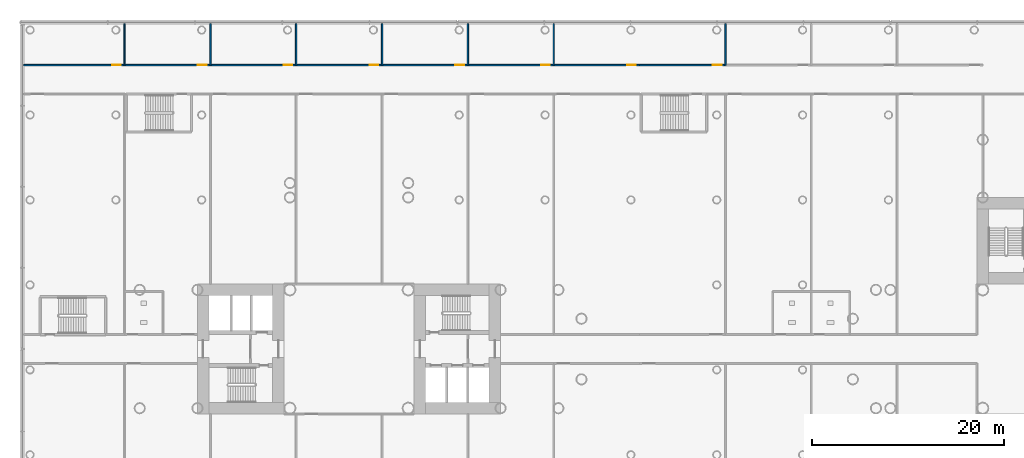
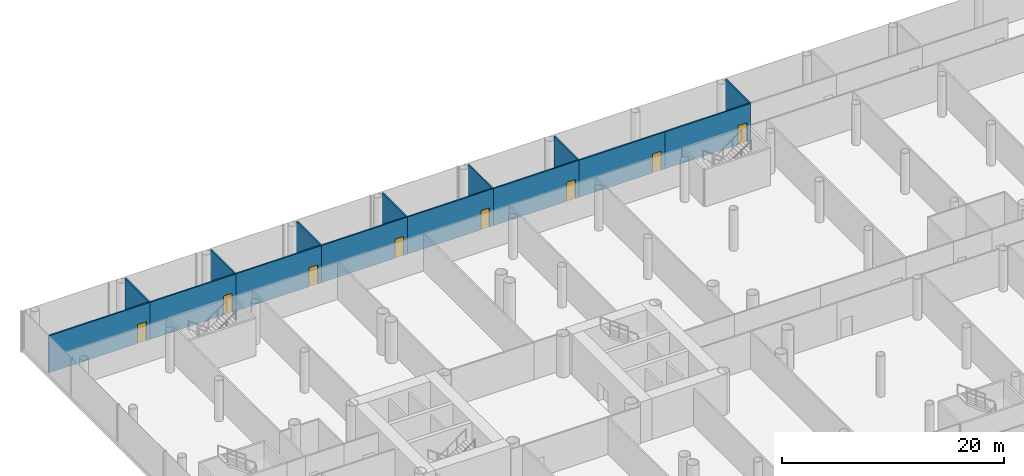
# One storey, part 24 of 51: 15 walls, 8 doors, 8 openings.
"""IFC4 building model written with IfcOpenShell, lengths in metres."""

from ifc_helpers import new_model, si_unit, direction, frame, frame_2d, origin, place, context, subcontext, project, spatial, rectangle, extrude, material, layer, layer_set, type_object, element, fill, save


model = new_model("IFC4")

# Units and contexts
model_context = context("Model", 3, precision=1e-05, world=origin(), true_north=direction((0.0, 1.0)))
body_context = subcontext(model_context, "Body", "Model", "MODEL_VIEW")
ifc_project = project(units=[si_unit("LENGTHUNIT", "METRE"), si_unit("AREAUNIT", "SQUARE_METRE"), si_unit("VOLUMEUNIT", "CUBIC_METRE"), si_unit("PLANEANGLEUNIT", "RADIAN"), si_unit("MASSUNIT", "GRAM", prefix="KILO")], contexts=[model_context])

# Site, building, storey
site_placement = place(None, origin())
site = spatial("IfcSite", under=ifc_project, at=site_placement, CompositionType="ELEMENT")
building_placement = place(site_placement, origin())
building = spatial("IfcBuilding", under=site, at=building_placement, Name="Ipe Terrace Towers", CompositionType="ELEMENT")
storey_placement = place(building_placement, frame((0.0, 0.0, 15.5)))
storey = spatial("IfcBuildingStorey", under=building, at=storey_placement, Name="L03", CompositionType="ELEMENT", Elevation=15.5)

# Wall, opening, door
ifc_material_1 = material(Name="Gypsum board partition", Category="plasterboard")
ifc_layer = layer(ifc_material_1, 0.14990234375)
ifc_layer_set = layer_set([ifc_layer], Name="Gypsum board partition 150 mm")
wall_type = type_object("IfcWallType", Name="Gypsum board partition 150 mm", PredefinedType="PARTITIONING", material=ifc_layer_set)
wall_1_placement = place(storey_placement, frame((-59.330078125, 29.5, 0.0), z_axis=(0.0, 0.0, 1.0), x_axis=(-1.0, 0.0, 0.0)))
wall_1 = element("IfcWall", 1, at=wall_1_placement, inside=storey, type_object=wall_type, Name="Gypsum board partition T1 L03 pd-r3-w9", PredefinedType="PARTITIONING", context=body_context, shape_type="SweptSolid", body=[
    extrude(rectangle(XDim=10.52001953125, YDim=0.14990234375, at=frame_2d((5.260009765625, 0.0))), origin(), (0.0, 0.0, 1.0), 4.080078125),
])
opening_1_placement = place(wall_1_placement, frame((0.39990234375, 0.0, 0.0)))
opening_1 = element("IfcOpeningElement", 2, at=opening_1_placement, cuts=wall_1, Name="Opening PD-L03-r3", PredefinedType="OPENING", context=body_context, shape_type="SweptSolid", body=[
    extrude(rectangle(XDim=0.89990234375, YDim=2.10009765625, at=frame_2d((0.449951171875, 1.050048828125))), frame((0.0, 0.0849609375, 0.0), z_axis=(0.0, -1.0, 0.0), x_axis=(1.0, 0.0, 0.0)), (0.0, 0.0, 1.0), 0.169921875),
])
ifc_material_2 = material(Name="Fire-rated timber door leaf", Category="wood")
door_type = type_object("IfcDoorType", Name="Lounge door 900 x 2100 FD30S", OperationType="NOTDEFINED", PredefinedType="DOOR", material=ifc_material_2)
door_1_placement = place(opening_1_placement, origin())
door_1 = element("IfcDoor", 3, at=door_1_placement, inside=storey, type_object=door_type, Name="Lounge door PD-L03-r3", OperationType="SINGLE_SWING_RIGHT", OverallHeight=2.10009765625, OverallWidth=0.89990234375, PredefinedType="DOOR", context=body_context, shape_type="SweptSolid", body=[
    extrude(rectangle(XDim=0.89990234375, YDim=2.10009765625, at=frame_2d((0.449951171875, 1.050048828125))), frame((0.0, 0.02490234375, 0.0), z_axis=(0.0, -1.0, 0.0), x_axis=(1.0, 0.0, 0.0)), (0.0, 0.0, 1.0), 0.050048828125),
])
fill(opening_1, door_1)

# Wall
wall_2_placement = place(storey_placement, frame((-59.330078125, 33.85009765625, 0.0), z_axis=(0.0, 0.0, 1.0), x_axis=(0.0, -1.0, 0.0)))
element("IfcWall", 4, at=wall_2_placement, inside=storey, type_object=wall_type, Name="Gypsum board partition T1 L03 pd-r3-r6-w10", PredefinedType="PARTITIONING", context=body_context, shape_type="SweptSolid", body=[
    extrude(rectangle(XDim=4.35009765625, YDim=0.14990234375, at=frame_2d((2.175048828125, 0.0))), origin(), (0.0, 0.0, 1.0), 4.080078125),
])

# Wall, opening, door
wall_3_placement = place(storey_placement, frame((-50.409912109375, 29.5, 0.0), z_axis=(0.0, 0.0, 1.0), x_axis=(-1.0, 0.0, 0.0)))
wall_3 = element("IfcWall", 5, at=wall_3_placement, inside=storey, type_object=wall_type, Name="Gypsum board partition T1 L03 pd-r6-w16", PredefinedType="PARTITIONING", context=body_context, shape_type="SweptSolid", body=[
    extrude(rectangle(XDim=8.920166015625, YDim=0.14990234375, at=frame_2d((4.4599609375, 0.0))), origin(), (0.0, 0.0, 1.0), 4.080078125),
])
opening_2_placement = place(wall_3_placement, frame((0.39990234375, 0.0, 0.0)))
opening_2 = element("IfcOpeningElement", 6, at=opening_2_placement, cuts=wall_3, Name="Opening PD-L03-r6", PredefinedType="OPENING", context=body_context, shape_type="SweptSolid", body=[
    extrude(rectangle(XDim=0.89990234375, YDim=2.10009765625, at=frame_2d((0.449951171875, 1.050048828125))), frame((0.0, 0.0849609375, 0.0), z_axis=(0.0, -1.0, 0.0), x_axis=(1.0, 0.0, 0.0)), (0.0, 0.0, 1.0), 0.169921875),
])
door_2_placement = place(opening_2_placement, origin())
door_2 = element("IfcDoor", 7, at=door_2_placement, inside=storey, type_object=door_type, Name="Lounge door PD-L03-r6", OperationType="SINGLE_SWING_RIGHT", OverallHeight=2.10009765625, OverallWidth=0.89990234375, PredefinedType="DOOR", context=body_context, shape_type="SweptSolid", body=[
    extrude(rectangle(XDim=0.89990234375, YDim=2.10009765625, at=frame_2d((0.449951171875, 1.050048828125))), frame((0.0, 0.02490234375, 0.0), z_axis=(0.0, -1.0, 0.0), x_axis=(1.0, 0.0, 0.0)), (0.0, 0.0, 1.0), 0.050048828125),
])
fill(opening_2, door_2)

wall_4_placement = place(storey_placement, frame((-41.489990234375, 29.5, 0.0), z_axis=(0.0, 0.0, 1.0), x_axis=(-1.0, 0.0, 0.0)))
wall_4 = element("IfcWall", 8, at=wall_4_placement, inside=storey, type_object=wall_type, Name="Gypsum board partition T1 L03 pd-r10-w22", PredefinedType="PARTITIONING", context=body_context, shape_type="SweptSolid", body=[
    extrude(rectangle(XDim=8.919921875, YDim=0.14990234375, at=frame_2d((4.4599609375, 0.0))), origin(), (0.0, 0.0, 1.0), 4.080078125),
])
opening_3_placement = place(wall_4_placement, frame((0.39990234375, 0.0, 0.0)))
opening_3 = element("IfcOpeningElement", 9, at=opening_3_placement, cuts=wall_4, Name="Opening PD-L03-r10", PredefinedType="OPENING", context=body_context, shape_type="SweptSolid", body=[
    extrude(rectangle(XDim=0.89990234375, YDim=2.10009765625, at=frame_2d((0.449951171875, 1.050048828125))), frame((0.0, 0.0849609375, 0.0), z_axis=(0.0, -1.0, 0.0), x_axis=(1.0, 0.0, 0.0)), (0.0, 0.0, 1.0), 0.169921875),
])
door_3_placement = place(opening_3_placement, origin())
door_3 = element("IfcDoor", 10, at=door_3_placement, inside=storey, type_object=door_type, Name="Lounge door PD-L03-r10", OperationType="SINGLE_SWING_RIGHT", OverallHeight=2.10009765625, OverallWidth=0.89990234375, PredefinedType="DOOR", context=body_context, shape_type="SweptSolid", body=[
    extrude(rectangle(XDim=0.89990234375, YDim=2.10009765625, at=frame_2d((0.449951171875, 1.050048828125))), frame((0.0, 0.02490234375, 0.0), z_axis=(0.0, -1.0, 0.0), x_axis=(1.0, 0.0, 0.0)), (0.0, 0.0, 1.0), 0.050048828125),
])
fill(opening_3, door_3)

# Walls
for number, where, z_axis, x_axis, name in (
    (11, (-50.409912109375, 29.5, 0.0), (0.0, 0.0, 1.0), (0.0, 1.0, 0.0), "Gypsum board partition T1 L03 pd-r10-r6-w23"),
    (12, (-41.489990234375, 33.85009765625, 0.0), (0.0, 0.0, 1.0), (0.0, -1.0, 0.0), "Gypsum board partition T1 L03 pd-r10-r15-w24"),
):
    element("IfcWall", number, at=place(storey_placement, frame(where, z_axis=z_axis, x_axis=x_axis)), inside=storey, type_object=wall_type, Name=name, PredefinedType="PARTITIONING", context=body_context, shape_type="SweptSolid", body=[
        extrude(rectangle(XDim=4.35009765625, YDim=0.14990234375, at=frame_2d((2.175048828125, 0.0))), origin(), (0.0, 0.0, 1.0), 4.080078125),
    ])

# Wall, opening, door
wall_5_placement = place(storey_placement, frame((-32.570068359375, 29.5, 0.0), z_axis=(0.0, 0.0, 1.0), x_axis=(-1.0, 0.0, 0.0)))
wall_5 = element("IfcWall", 13, at=wall_5_placement, inside=storey, type_object=wall_type, Name="Gypsum board partition T1 L03 pd-r15-w39", PredefinedType="PARTITIONING", context=body_context, shape_type="SweptSolid", body=[
    extrude(rectangle(XDim=8.919921875, YDim=0.14990234375, at=frame_2d((4.4599609375, 0.0))), origin(), (0.0, 0.0, 1.0), 4.080078125),
])
opening_4_placement = place(wall_5_placement, frame((0.39990234375, 0.0, 0.0)))
opening_4 = element("IfcOpeningElement", 14, at=opening_4_placement, cuts=wall_5, Name="Opening PD-L03-r15", PredefinedType="OPENING", context=body_context, shape_type="SweptSolid", body=[
    extrude(rectangle(XDim=0.89990234375, YDim=2.10009765625, at=frame_2d((0.449951171875, 1.050048828125))), frame((0.0, 0.0849609375, 0.0), z_axis=(0.0, -1.0, 0.0), x_axis=(1.0, 0.0, 0.0)), (0.0, 0.0, 1.0), 0.169921875),
])
door_4_placement = place(opening_4_placement, origin())
door_4 = element("IfcDoor", 15, at=door_4_placement, inside=storey, type_object=door_type, Name="Lounge door PD-L03-r15", OperationType="SINGLE_SWING_RIGHT", OverallHeight=2.10009765625, OverallWidth=0.89990234375, PredefinedType="DOOR", context=body_context, shape_type="SweptSolid", body=[
    extrude(rectangle(XDim=0.89990234375, YDim=2.10009765625, at=frame_2d((0.449951171875, 1.050048828125))), frame((0.0, 0.02490234375, 0.0), z_axis=(0.0, -1.0, 0.0), x_axis=(1.0, 0.0, 0.0)), (0.0, 0.0, 1.0), 0.050048828125),
])
fill(opening_4, door_4)

# Wall
wall_6_placement = place(storey_placement, frame((-32.570068359375, 33.85009765625, 0.0), z_axis=(0.0, 0.0, 1.0), x_axis=(0.0, -1.0, 0.0)))
element("IfcWall", 16, at=wall_6_placement, inside=storey, type_object=wall_type, Name="Gypsum board partition T1 L03 pd-r15-r19-w40", PredefinedType="PARTITIONING", context=body_context, shape_type="SweptSolid", body=[
    extrude(rectangle(XDim=4.35009765625, YDim=0.14990234375, at=frame_2d((2.175048828125, 0.0))), origin(), (0.0, 0.0, 1.0), 4.080078125),
])

# Wall, opening, door
wall_7_placement = place(storey_placement, frame((-23.64990234375, 29.5, 0.0), z_axis=(0.0, 0.0, 1.0), x_axis=(-1.0, 0.0, 0.0)))
wall_7 = element("IfcWall", 17, at=wall_7_placement, inside=storey, type_object=wall_type, Name="Gypsum board partition T1 L03 pd-r19-w49", PredefinedType="PARTITIONING", context=body_context, shape_type="SweptSolid", body=[
    extrude(rectangle(XDim=8.920166015625, YDim=0.14990234375, at=frame_2d((4.4599609375, 0.0))), origin(), (0.0, 0.0, 1.0), 4.080078125),
])
opening_5_placement = place(wall_7_placement, frame((0.39990234375, 0.0, 0.0)))
opening_5 = element("IfcOpeningElement", 18, at=opening_5_placement, cuts=wall_7, Name="Opening PD-L03-r19", PredefinedType="OPENING", context=body_context, shape_type="SweptSolid", body=[
    extrude(rectangle(XDim=0.89990234375, YDim=2.10009765625, at=frame_2d((0.449951171875, 1.050048828125))), frame((0.0, 0.0849609375, 0.0), z_axis=(0.0, -1.0, 0.0), x_axis=(1.0, 0.0, 0.0)), (0.0, 0.0, 1.0), 0.169921875),
])
door_5_placement = place(opening_5_placement, origin())
door_5 = element("IfcDoor", 19, at=door_5_placement, inside=storey, type_object=door_type, Name="Lounge door PD-L03-r19", OperationType="SINGLE_SWING_RIGHT", OverallHeight=2.10009765625, OverallWidth=0.89990234375, PredefinedType="DOOR", context=body_context, shape_type="SweptSolid", body=[
    extrude(rectangle(XDim=0.89990234375, YDim=2.10009765625, at=frame_2d((0.449951171875, 1.050048828125))), frame((0.0, 0.02490234375, 0.0), z_axis=(0.0, -1.0, 0.0), x_axis=(1.0, 0.0, 0.0)), (0.0, 0.0, 1.0), 0.050048828125),
])
fill(opening_5, door_5)

# Wall
wall_8_placement = place(storey_placement, frame((-23.64990234375, 33.85009765625, 0.0), z_axis=(0.0, 0.0, 1.0), x_axis=(0.0, -1.0, 0.0)))
element("IfcWall", 20, at=wall_8_placement, inside=storey, type_object=wall_type, Name="Gypsum board partition T1 L03 pd-r19-r21-w50", PredefinedType="PARTITIONING", context=body_context, shape_type="SweptSolid", body=[
    extrude(rectangle(XDim=4.35009765625, YDim=0.14990234375, at=frame_2d((2.175048828125, 0.0))), origin(), (0.0, 0.0, 1.0), 4.080078125),
])

# Wall, opening, door
wall_9_placement = place(storey_placement, frame((-14.72998046875, 29.5, 0.0), z_axis=(0.0, 0.0, 1.0), x_axis=(-1.0, 0.0, 0.0)))
wall_9 = element("IfcWall", 21, at=wall_9_placement, inside=storey, type_object=wall_type, Name="Gypsum board partition T1 L03 pd-r21-w53", PredefinedType="PARTITIONING", context=body_context, shape_type="SweptSolid", body=[
    extrude(rectangle(XDim=8.919921875, YDim=0.14990234375, at=frame_2d((4.4599609375, 0.0))), origin(), (0.0, 0.0, 1.0), 4.080078125),
])
opening_6_placement = place(wall_9_placement, frame((0.39990234375, 0.0, 0.0)))
opening_6 = element("IfcOpeningElement", 22, at=opening_6_placement, cuts=wall_9, Name="Opening PD-L03-r21", PredefinedType="OPENING", context=body_context, shape_type="SweptSolid", body=[
    extrude(rectangle(XDim=0.89990234375, YDim=2.10009765625, at=frame_2d((0.449951171875, 1.050048828125))), frame((0.0, 0.0849609375, 0.0), z_axis=(0.0, -1.0, 0.0), x_axis=(1.0, 0.0, 0.0)), (0.0, 0.0, 1.0), 0.169921875),
])
door_6_placement = place(opening_6_placement, origin())
door_6 = element("IfcDoor", 23, at=door_6_placement, inside=storey, type_object=door_type, Name="Lounge door PD-L03-r21", OperationType="SINGLE_SWING_RIGHT", OverallHeight=2.10009765625, OverallWidth=0.89990234375, PredefinedType="DOOR", context=body_context, shape_type="SweptSolid", body=[
    extrude(rectangle(XDim=0.89990234375, YDim=2.10009765625, at=frame_2d((0.449951171875, 1.050048828125))), frame((0.0, 0.02490234375, 0.0), z_axis=(0.0, -1.0, 0.0), x_axis=(1.0, 0.0, 0.0)), (0.0, 0.0, 1.0), 0.050048828125),
])
fill(opening_6, door_6)

# Wall
wall_10_placement = place(storey_placement, frame((-14.72998046875, 33.85009765625, 0.0), z_axis=(0.0, 0.0, 1.0), x_axis=(0.0, -1.0, 0.0)))
element("IfcWall", 24, at=wall_10_placement, inside=storey, type_object=wall_type, Name="Gypsum board partition T1 L03 pd-r21-r27-w54", PredefinedType="PARTITIONING", context=body_context, shape_type="SweptSolid", body=[
    extrude(rectangle(XDim=4.35009765625, YDim=0.14990234375, at=frame_2d((2.175048828125, 0.0))), origin(), (0.0, 0.0, 1.0), 4.080078125),
])

# Wall, opening, door
wall_11_placement = place(storey_placement, frame((-5.81005859375, 29.5, 0.0), z_axis=(0.0, 0.0, 1.0), x_axis=(-1.0, 0.0, 0.0)))
wall_11 = element("IfcWall", 25, at=wall_11_placement, inside=storey, type_object=wall_type, Name="Gypsum board partition T1 L03 pd-r27-w66", PredefinedType="PARTITIONING", context=body_context, shape_type="SweptSolid", body=[
    extrude(rectangle(XDim=8.919921875, YDim=0.14990234375, at=frame_2d((4.4599609375, 0.0))), origin(), (0.0, 0.0, 1.0), 4.080078125),
])
opening_7_placement = place(wall_11_placement, frame((0.39990234375, 0.0, 0.0)))
opening_7 = element("IfcOpeningElement", 26, at=opening_7_placement, cuts=wall_11, Name="Opening PD-L03-r27", PredefinedType="OPENING", context=body_context, shape_type="SweptSolid", body=[
    extrude(rectangle(XDim=0.89990234375, YDim=2.10009765625, at=frame_2d((0.449951171875, 1.050048828125))), frame((0.0, 0.0849609375, 0.0), z_axis=(0.0, -1.0, 0.0), x_axis=(1.0, 0.0, 0.0)), (0.0, 0.0, 1.0), 0.169921875),
])
door_7_placement = place(opening_7_placement, origin())
door_7 = element("IfcDoor", 27, at=door_7_placement, inside=storey, type_object=door_type, Name="Lounge door PD-L03-r27", OperationType="SINGLE_SWING_RIGHT", OverallHeight=2.10009765625, OverallWidth=0.89990234375, PredefinedType="DOOR", context=body_context, shape_type="SweptSolid", body=[
    extrude(rectangle(XDim=0.89990234375, YDim=2.10009765625, at=frame_2d((0.449951171875, 1.050048828125))), frame((0.0, 0.02490234375, 0.0), z_axis=(0.0, -1.0, 0.0), x_axis=(1.0, 0.0, 0.0)), (0.0, 0.0, 1.0), 0.050048828125),
])
fill(opening_7, door_7)

wall_12_placement = place(storey_placement, frame((3.110107421875, 29.5, 0.0), z_axis=(0.0, 0.0, 1.0), x_axis=(-1.0, 0.0, 0.0)))
wall_12 = element("IfcWall", 28, at=wall_12_placement, inside=storey, type_object=wall_type, Name="Gypsum board partition T2 L03 pd-r29-w2", PredefinedType="PARTITIONING", context=body_context, shape_type="SweptSolid", body=[
    extrude(rectangle(XDim=8.920166015625, YDim=0.14990234375, at=frame_2d((4.4599609375, 0.0))), origin(), (0.0, 0.0, 1.0), 4.080078125),
])
opening_8_placement = place(wall_12_placement, frame((0.39990234375, 0.0, 0.0)))
opening_8 = element("IfcOpeningElement", 29, at=opening_8_placement, cuts=wall_12, Name="Opening PD-L03-r29", PredefinedType="OPENING", context=body_context, shape_type="SweptSolid", body=[
    extrude(rectangle(XDim=0.89990234375, YDim=2.10009765625, at=frame_2d((0.449951171875, 1.050048828125))), frame((0.0, 0.0849609375, 0.0), z_axis=(0.0, -1.0, 0.0), x_axis=(1.0, 0.0, 0.0)), (0.0, 0.0, 1.0), 0.169921875),
])
door_8_placement = place(opening_8_placement, origin())
door_8 = element("IfcDoor", 30, at=door_8_placement, inside=storey, type_object=door_type, Name="Lounge door PD-L03-r29", OperationType="SINGLE_SWING_RIGHT", OverallHeight=2.10009765625, OverallWidth=0.89990234375, PredefinedType="DOOR", context=body_context, shape_type="SweptSolid", body=[
    extrude(rectangle(XDim=0.89990234375, YDim=2.10009765625, at=frame_2d((0.449951171875, 1.050048828125))), frame((0.0, 0.02490234375, 0.0), z_axis=(0.0, -1.0, 0.0), x_axis=(1.0, 0.0, 0.0)), (0.0, 0.0, 1.0), 0.050048828125),
])
fill(opening_8, door_8)

# Wall
wall_13_placement = place(storey_placement, frame((3.110107421875, 33.85009765625, 0.0), z_axis=(0.0, 0.0, 1.0), x_axis=(0.0, -1.0, 0.0)))
element("IfcWall", 31, at=wall_13_placement, inside=storey, type_object=wall_type, Name="Gypsum board partition T2 L03 pd-r29-r35-w3", PredefinedType="PARTITIONING", context=body_context, shape_type="SweptSolid", body=[
    extrude(rectangle(XDim=4.35009765625, YDim=0.14990234375, at=frame_2d((2.175048828125, 0.0))), origin(), (0.0, 0.0, 1.0), 4.080078125),
])

save(model, "model.ifc")
